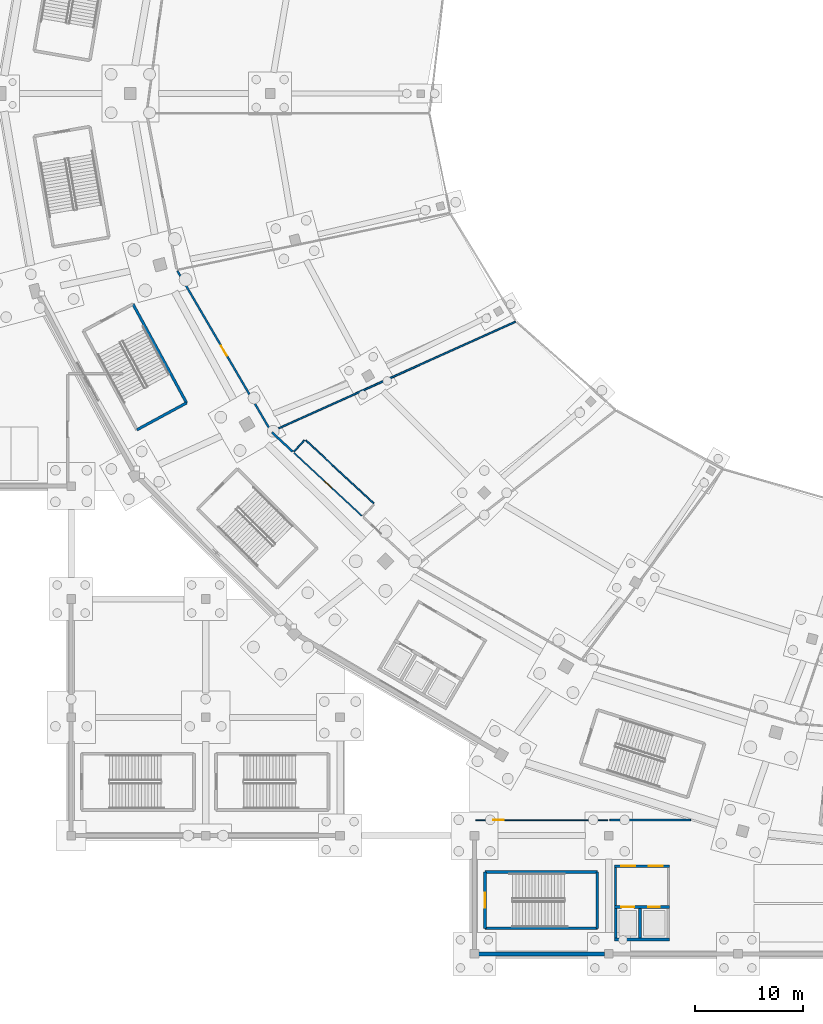
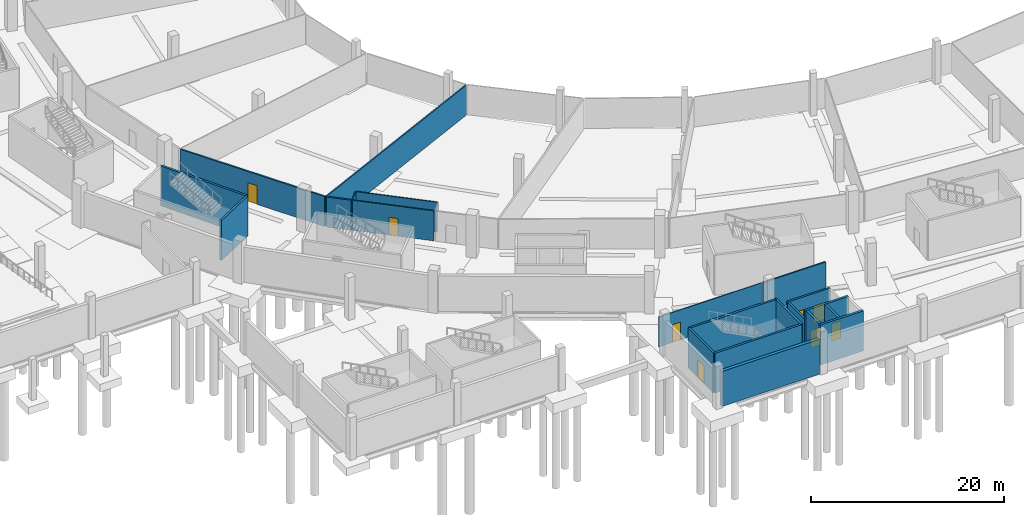
# One storey, part 33 of 74: 21 walls, 8 doors, 8 openings.
"""IFC4 building model written with IfcOpenShell, lengths in metres."""

from ifc_helpers import new_model, si_unit, direction, frame, frame_2d, origin, place, context, subcontext, project, spatial, rectangle, extrude, material, layer, layer_set, type_object, element, fill, save


model = new_model("IFC4")

# Units and contexts
model_context = context("Model", 3, precision=1e-05, world=origin(), true_north=direction((0.0, 1.0)))
body_context = subcontext(model_context, "Body", "Model", "MODEL_VIEW")
ifc_project = project(units=[si_unit("LENGTHUNIT", "METRE"), si_unit("AREAUNIT", "SQUARE_METRE"), si_unit("VOLUMEUNIT", "CUBIC_METRE"), si_unit("PLANEANGLEUNIT", "RADIAN"), si_unit("MASSUNIT", "GRAM", prefix="KILO")], contexts=[model_context])

# Site, building, storey
site_placement = place(None, origin())
site = spatial("IfcSite", under=ifc_project, at=site_placement, CompositionType="ELEMENT")
building_placement = place(site_placement, origin())
building = spatial("IfcBuilding", under=site, at=building_placement, Name="Zlatoyarsky Gate Stadium", CompositionType="ELEMENT")
storey_placement = place(building_placement, frame((0.0, 0.0, -5.39990234375)))
storey = spatial("IfcBuildingStorey", under=building, at=storey_placement, Name="B1", CompositionType="ELEMENT", Elevation=-5.39990234375)

# Walls
ifc_material_1 = material(Name="Double-stud acoustic gypsum partition", Category="gypsum")
ifc_layer_1 = layer(ifc_material_1, 0.169921875)
ifc_layer_set_1 = layer_set([ifc_layer_1], Name="Double-stud acoustic gypsum partition")
wall_type_1 = type_object("IfcWallType", Name="ACOUSTIC BROADCAST STUDIO WALL 170", PredefinedType="PARTITIONING", material=ifc_layer_set_1)
wall_1_placement = place(storey_placement, frame((74.5849609375, 12.449951171875, 0.0), z_axis=(0.0, 0.0, 1.0), x_axis=(1.0, 0.0, 0.0)))
element("IfcWall", 1, at=wall_1_placement, inside=storey, type_object=wall_type_1, Name="B1 interior partition PRT-B1-V3SC-NW1B", PredefinedType="PARTITIONING", context=body_context, shape_type="SweptSolid", body=[
    extrude(rectangle(XDim=7.517333984375, YDim=0.169921875, at=frame_2d((3.7587890625, 0.0))), origin(), (0.0, 0.0, 1.0), 3.7998046875),
])
ifc_material_2 = material(Name="Gypsum-clad mineral wool fire partition", Category="gypsum")
ifc_layer_2 = layer(ifc_material_2, 0.199951171875)
ifc_layer_set_2 = layer_set([ifc_layer_2], Name="Gypsum-clad mineral wool fire partition")
wall_type_2 = type_object("IfcWallType", Name="COMPARTMENT FIRE PARTITION WALL 200", PredefinedType="PARTITIONING", material=ifc_layer_set_2)
wall_2_placement = place(storey_placement, frame((43.162841796875, 48.497314453125, 0.0), z_axis=(0.0, 0.0, 1.0), x_axis=(0.732978614057, -0.680251682347, 0.0)))
element("IfcWall", 2, at=wall_2_placement, inside=storey, type_object=wall_type_2, Name="B1 interior partition PRT-B1-WCL-14", PredefinedType="PARTITIONING", context=body_context, shape_type="SweptSolid", body=[
    extrude(rectangle(XDim=2.6298828125, YDim=0.199951171875, at=frame_2d((1.31494140625, 0.0))), origin(), (0.0, 0.0, 1.0), 3.7998046875),
])
ifc_material_3 = material(Name="Metal-stud gypsum partition", Category="gypsum")
ifc_layer_3 = layer(ifc_material_3, 0.14990234375)
ifc_layer_set_3 = layer_set([ifc_layer_3], Name="Metal-stud gypsum partition")
wall_type_3 = type_object("IfcWallType", Name="CONCOURSE CORRIDOR PARTITION 150", PredefinedType="PARTITIONING", material=ifc_layer_set_3)
wall_3_placement = place(storey_placement, frame((65.8076171875, 58.77880859375, 0.0), z_axis=(0.0, 0.0, 1.0), x_axis=(-0.911840313279, -0.41054505609, 0.0)))
element("IfcWall", 3, at=wall_3_placement, inside=storey, type_object=wall_type_3, Name="B1 interior partition PRT-B1-IRD-14", PredefinedType="PARTITIONING", context=body_context, shape_type="SweptSolid", body=[
    extrude(rectangle(XDim=24.817626953125, YDim=0.14990234375, at=frame_2d((12.40869140625, 0.0))), origin(), (0.0, 0.0, 1.0), 3.7998046875),
])
ifc_material_4 = material(Name="Concrete C40/50", Category="concrete")
ifc_layer_4 = layer(ifc_material_4, 0.27001953125)
ifc_layer_set_4 = layer_set([ifc_layer_4], Name="Concrete C40/50")
wall_type_4 = type_object("IfcWallType", Name="CONCRETE LIFT SHAFT SHEAR WALL 270", PredefinedType="SHEAR", material=ifc_layer_set_4)
wall_4_placement = place(storey_placement, frame((75.0, 1.3349609375, 0.0), z_axis=(0.0, 0.0, 1.0), x_axis=(1.0, 0.0, 0.0)))
element("IfcWall", 4, at=wall_4_placement, inside=storey, type_object=wall_type_4, Name="C6 B1 lift shaft rear wall", PredefinedType="SHEAR", context=body_context, shape_type="SweptSolid", body=[
    extrude(rectangle(XDim=5.14990234375, YDim=0.27001953125, at=frame_2d((2.574951171875, 0.0))), origin(), (0.0, 0.0, 1.0), 5.0498046875),
])
for number, where, z_axis, x_axis, name in (
    (5, (75.135009765625, 1.47998046875, 0.0), (0.0, 0.0, 1.0), (0.0, 1.0, 0.0), "C6 B1 lift shaft left wall"),
    (6, (77.375, 1.47998046875, 0.0), (0.0, 0.0, 1.0), (0.0, 1.0, 0.0), "C6 B1 lift shaft divider 1"),
):
    element("IfcWall", number, at=place(storey_placement, frame(where, z_axis=z_axis, x_axis=x_axis)), inside=storey, type_object=wall_type_4, Name=name, PredefinedType="SHEAR", context=body_context, shape_type="SweptSolid", body=[
        extrude(rectangle(XDim=2.739990234375, YDim=0.27001953125, at=frame_2d((1.3701171875, 0.0))), origin(), (0.0, 0.0, 1.0), 5.0498046875),
    ])

# Wall, openings, doors
wall_5_placement = place(storey_placement, frame((75.0, 4.364990234375, 0.0), z_axis=(0.0, 0.0, 1.0), x_axis=(1.0, 0.0, 0.0)))
wall_5 = element("IfcWall", 7, at=wall_5_placement, inside=storey, type_object=wall_type_4, Name="C6 B1 lift landing front wall", PredefinedType="SHEAR", context=body_context, shape_type="SweptSolid", body=[
    extrude(rectangle(XDim=5.14990234375, YDim=0.27001953125, at=frame_2d((2.574951171875, 0.0))), origin(), (0.0, 0.0, 1.0), 5.0498046875),
])
opening_1_placement = place(wall_5_placement, frame((0.64990234375, 0.0, 0.0)))
opening_1 = element("IfcOpeningElement", 8, at=opening_1_placement, cuts=wall_5, Name="Opening LD-FL-06-B1", PredefinedType="OPENING", context=body_context, shape_type="SweptSolid", body=[
    extrude(rectangle(XDim=1.199951171875, YDim=2.25, at=frame_2d((0.60009765625, 1.125))), frame((0.0, 0.14501953125, 0.0), z_axis=(0.0, -1.0, 0.0), x_axis=(1.0, 0.0, 0.0)), (0.0, 0.0, 1.0), 0.2900390625),
])
opening_2_placement = place(wall_5_placement, frame((3.14990234375, 0.0, 0.0)))
opening_2 = element("IfcOpeningElement", 9, at=opening_2_placement, cuts=wall_5, Name="Opening LD-LF-10-B1", PredefinedType="OPENING", context=body_context, shape_type="SweptSolid", body=[
    extrude(rectangle(XDim=1.10009765625, YDim=2.199951171875, at=frame_2d((0.550048828125, 1.10009765625))), frame((0.0, 0.14501953125, 0.0), z_axis=(0.0, -1.0, 0.0), x_axis=(1.0, 0.0, 0.0)), (0.0, 0.0, 1.0), 0.2900390625),
])
ifc_material_5 = material(Name="Powder-coated steel fire door", Category="steel")
door_type_1 = type_object("IfcDoorType", Name="STAINLESS LIFT LANDING SLIDING DOOR 1100X2200", OperationType="DOUBLE_DOOR_SLIDING", PredefinedType="DOOR", material=ifc_material_5)
door_1_placement = place(opening_2_placement, origin())
door_1 = element("IfcDoor", 10, at=door_1_placement, inside=storey, type_object=door_type_1, Name="Lift LF-10 B1 sliding landing door", OperationType="DOUBLE_DOOR_SLIDING", OverallHeight=2.199951171875, OverallWidth=1.10009765625, PredefinedType="DOOR", context=body_context, shape_type="SweptSolid", body=[
    extrude(rectangle(XDim=1.10009765625, YDim=2.199951171875, at=frame_2d((0.550048828125, 1.10009765625))), frame((0.0, 0.02490234375, 0.0), z_axis=(0.0, -1.0, 0.0), x_axis=(1.0, 0.0, 0.0)), (0.0, 0.0, 1.0), 0.050048828125),
])
fill(opening_2, door_1)
door_type_2 = type_object("IfcDoorType", Name="STAINLESS LIFT LANDING SLIDING DOOR 1200X2250", OperationType="DOUBLE_DOOR_SLIDING", PredefinedType="DOOR", material=ifc_material_5)
door_2_placement = place(opening_1_placement, origin())
door_2 = element("IfcDoor", 11, at=door_2_placement, inside=storey, type_object=door_type_2, Name="Lift FL-06 B1 sliding landing door", OperationType="DOUBLE_DOOR_SLIDING", OverallHeight=2.25, OverallWidth=1.199951171875, PredefinedType="DOOR", context=body_context, shape_type="SweptSolid", body=[
    extrude(rectangle(XDim=1.199951171875, YDim=2.25, at=frame_2d((0.60009765625, 1.125))), frame((0.0, 0.02490234375, 0.0), z_axis=(0.0, -1.0, 0.0), x_axis=(1.0, 0.0, 0.0)), (0.0, 0.0, 1.0), 0.050048828125),
])
fill(opening_1, door_2)

# Walls
ifc_material_6 = material(Name="Concrete C35/45", Category="concrete")
ifc_layer_5 = layer(ifc_material_6, 0.3798828125)
ifc_layer_set_5 = layer_set([ifc_layer_5], Name="Concrete C35/45")
wall_type_5 = type_object("IfcWallType", Name="CONCRETE RAMP RETAINING WALL 380", PredefinedType="SOLIDWALL", material=ifc_layer_set_5)
wall_6_placement = place(storey_placement, frame((62.39697265625, 0.0, 0.0), z_axis=(0.0, 0.0, 1.0), x_axis=(1.0, 0.0, 0.0)))
element("IfcWall", 12, at=wall_6_placement, inside=storey, type_object=wall_type_5, Name="V3_SOUTH B1 S exterior wall", PredefinedType="SOLIDWALL", context=body_context, shape_type="SweptSolid", body=[
    extrude(rectangle(XDim=11.7060546875, YDim=0.3798828125, at=frame_2d((5.85302734375, 0.0))), origin(), (0.0, 0.0, 1.0), 4.429931640625),
])
ifc_layer_6 = layer(ifc_material_4, 0.25)
ifc_layer_set_6 = layer_set([ifc_layer_6], Name="Concrete C40/50")
wall_type_6 = type_object("IfcWallType", Name="CONCRETE STAIR CORE SHEAR WALL 250", PredefinedType="SHEAR", material=ifc_layer_set_6)
wall_7_placement = place(storey_placement, frame((30.615234375, 48.731201171875, 0.0), z_axis=(0.0, 0.0, 1.0), x_axis=(0.878961487093, 0.47689275965, 0.0)))
element("IfcWall", 13, at=wall_7_placement, inside=storey, type_object=wall_type_6, Name="ST-15 B1 stair core far shear wall", PredefinedType="SHEAR", context=body_context, shape_type="SweptSolid", body=[
    extrude(rectangle(XDim=5.25, YDim=0.25, at=frame_2d((2.625, 0.0))), origin(), (0.0, 0.0, 1.0), 5.0498046875),
])
wall_8_placement = place(storey_placement, frame((35.229736328125, 51.23486328125, 0.0), z_axis=(0.0, 0.0, 1.0), x_axis=(-0.476876856974, 0.878970115125, 0.0)))
element("IfcWall", 14, at=wall_8_placement, inside=storey, type_object=wall_type_6, Name="ST-15 B1 stair core right shear wall", PredefinedType="SHEAR", context=body_context, shape_type="SweptSolid", body=[
    extrude(rectangle(XDim=10.4501953125, YDim=0.25, at=frame_2d((5.22509765625, 0.0))), origin(), (0.0, 0.0, 1.0), 5.0498046875),
])

# Wall, opening, door
wall_9_placement = place(storey_placement, frame((62.97509765625, 7.625, 0.0), z_axis=(0.0, 0.0, 1.0), x_axis=(0.0, -1.0, 0.0)))
wall_9 = element("IfcWall", 15, at=wall_9_placement, inside=storey, type_object=wall_type_6, Name="ST-29 B1 stair core entrance shear wall", PredefinedType="SHEAR", context=body_context, shape_type="SweptSolid", body=[
    extrude(rectangle(XDim=5.25, YDim=0.25, at=frame_2d((2.625, 0.0))), origin(), (0.0, 0.0, 1.0), 5.0498046875),
])
opening_3_placement = place(wall_9_placement, frame((1.925048828125, 0.0, 0.0)))
opening_3 = element("IfcOpeningElement", 16, at=opening_3_placement, cuts=wall_9, Name="Opening SD-ST-29-B1", PredefinedType="OPENING", context=body_context, shape_type="SweptSolid", body=[
    extrude(rectangle(XDim=1.39990234375, YDim=2.199951171875, at=frame_2d((0.699951171875, 1.10009765625))), frame((0.0, 0.135009765625, 0.0), z_axis=(0.0, -1.0, 0.0), x_axis=(1.0, 0.0, 0.0)), (0.0, 0.0, 1.0), 0.27001953125),
])
door_type_3 = type_object("IfcDoorType", Name="STAIR CORE FIRE EXIT DOOR 1400X2200", OperationType="NOTDEFINED", PredefinedType="DOOR", material=ifc_material_5)
door_3_placement = place(opening_3_placement, frame((1.39990234375, 0.0, 0.0), z_axis=(0.0, 0.0, 1.0), x_axis=(-1.0, 0.0, 0.0)))
door_3 = element("IfcDoor", 17, at=door_3_placement, inside=storey, type_object=door_type_3, Name="ST-29 B1 stair fire door", OperationType="SINGLE_SWING_LEFT", OverallHeight=2.199951171875, OverallWidth=1.39990234375, PredefinedType="DOOR", context=body_context, shape_type="SweptSolid", body=[
    extrude(rectangle(XDim=1.39990234375, YDim=2.199951171875, at=frame_2d((0.699951171875, 1.10009765625))), frame((0.0, 0.02490234375, 0.0), z_axis=(0.0, -1.0, 0.0), x_axis=(1.0, 0.0, 0.0)), (0.0, 0.0, 1.0), 0.050048828125),
])
fill(opening_3, door_3)

# Walls
wall_10_placement = place(storey_placement, frame((62.97509765625, 2.375, 0.0), z_axis=(0.0, 0.0, 1.0), x_axis=(1.0, 0.0, 0.0)))
element("IfcWall", 18, at=wall_10_placement, inside=storey, type_object=wall_type_6, Name="ST-29 B1 stair core left shear wall", PredefinedType="SHEAR", context=body_context, shape_type="SweptSolid", body=[
    extrude(rectangle(XDim=10.449951171875, YDim=0.25, at=frame_2d((5.22509765625, 0.0))), origin(), (0.0, 0.0, 1.0), 5.0498046875),
])
wall_11_placement = place(storey_placement, frame((73.425048828125, 2.375, 0.0), z_axis=(0.0, 0.0, 1.0), x_axis=(0.0, 1.0, 0.0)))
element("IfcWall", 19, at=wall_11_placement, inside=storey, type_object=wall_type_6, Name="ST-29 B1 stair core far shear wall", PredefinedType="SHEAR", context=body_context, shape_type="SweptSolid", body=[
    extrude(rectangle(XDim=5.25, YDim=0.25, at=frame_2d((2.625, 0.0))), origin(), (0.0, 0.0, 1.0), 5.0498046875),
])
wall_12_placement = place(storey_placement, frame((73.425048828125, 7.625, 0.0), z_axis=(0.0, 0.0, 1.0), x_axis=(-1.0, 0.0, 0.0)))
element("IfcWall", 20, at=wall_12_placement, inside=storey, type_object=wall_type_6, Name="ST-29 B1 stair core right shear wall", PredefinedType="SHEAR", context=body_context, shape_type="SweptSolid", body=[
    extrude(rectangle(XDim=10.449951171875, YDim=0.25, at=frame_2d((5.22509765625, 0.0))), origin(), (0.0, 0.0, 1.0), 5.0498046875),
])
ifc_material_7 = material(Name="Autoclaved aerated concrete masonry EI 120", Category="masonry")
ifc_layer_7 = layer(ifc_material_7, 0.219970703125)
ifc_layer_set_7 = layer_set([ifc_layer_7], Name="Autoclaved aerated concrete masonry EI 120")
wall_type_7 = type_object("IfcWallType", Name="FIREFIGHTING LOBBY RATED WALL 220", PredefinedType="PARTITIONING", material=ifc_layer_set_7)
wall_13_placement = place(storey_placement, frame((75.110107421875, 4.52001953125, 0.0), z_axis=(0.0, 0.0, 1.0), x_axis=(0.0, 1.0, 0.0)))
element("IfcWall", 21, at=wall_13_placement, inside=storey, type_object=wall_type_7, Name="C6 B1 firefighting lobby left wall", PredefinedType="PARTITIONING", context=body_context, shape_type="SweptSolid", body=[
    extrude(rectangle(XDim=3.530029296875, YDim=0.219970703125, at=frame_2d((1.76513671875, 0.0))), origin(), (0.0, 0.0, 1.0), 3.7998046875),
])

# Wall, openings, doors
wall_14_placement = place(storey_placement, frame((75.0, 8.159912109375, 0.0), z_axis=(0.0, 0.0, 1.0), x_axis=(1.0, 0.0, 0.0)))
wall_14 = element("IfcWall", 22, at=wall_14_placement, inside=storey, type_object=wall_type_7, Name="C6 B1 firefighting lobby front wall", PredefinedType="PARTITIONING", context=body_context, shape_type="SweptSolid", body=[
    extrude(rectangle(XDim=5.14990234375, YDim=0.219970703125, at=frame_2d((2.574951171875, 0.0))), origin(), (0.0, 0.0, 1.0), 3.7998046875),
])
opening_4_placement = place(wall_14_placement, frame((0.64990234375, 0.0, 0.0)))
opening_4 = element("IfcOpeningElement", 23, at=opening_4_placement, cuts=wall_14, Name="Opening FD-C6-B1-A", PredefinedType="OPENING", context=body_context, shape_type="SweptSolid", body=[
    extrude(rectangle(XDim=1.300048828125, YDim=2.199951171875, at=frame_2d((0.64990234375, 1.10009765625))), frame((0.0, 0.119873046875, 0.0), z_axis=(0.0, -1.0, 0.0), x_axis=(1.0, 0.0, 0.0)), (0.0, 0.0, 1.0), 0.239990234375),
])
opening_5_placement = place(wall_14_placement, frame((3.199951171875, 0.0, 0.0)))
opening_5 = element("IfcOpeningElement", 24, at=opening_5_placement, cuts=wall_14, Name="Opening FD-C6-B1-B", PredefinedType="OPENING", context=body_context, shape_type="SweptSolid", body=[
    extrude(rectangle(XDim=1.300048828125, YDim=2.199951171875, at=frame_2d((0.64990234375, 1.10009765625))), frame((0.0, 0.119873046875, 0.0), z_axis=(0.0, -1.0, 0.0), x_axis=(1.0, 0.0, 0.0)), (0.0, 0.0, 1.0), 0.239990234375),
])
door_type_4 = type_object("IfcDoorType", Name="FIREFIGHTING LOBBY FIRE DOOR 1300X2200", OperationType="NOTDEFINED", PredefinedType="DOOR", material=ifc_material_5)
door_4_placement = place(opening_4_placement, origin())
door_4 = element("IfcDoor", 25, at=door_4_placement, inside=storey, type_object=door_type_4, Name="C6 B1 firefighting lobby fire door FD-C6-B1-A", OperationType="SINGLE_SWING_LEFT", OverallHeight=2.199951171875, OverallWidth=1.300048828125, PredefinedType="DOOR", context=body_context, shape_type="SweptSolid", body=[
    extrude(rectangle(XDim=1.300048828125, YDim=2.199951171875, at=frame_2d((0.64990234375, 1.10009765625))), frame((0.0, 0.02490234375, 0.0), z_axis=(0.0, -1.0, 0.0), x_axis=(1.0, 0.0, 0.0)), (0.0, 0.0, 1.0), 0.050048828125),
])
fill(opening_4, door_4)
door_5_placement = place(opening_5_placement, origin())
door_5 = element("IfcDoor", 26, at=door_5_placement, inside=storey, type_object=door_type_4, Name="C6 B1 firefighting lobby fire door FD-C6-B1-B", OperationType="SINGLE_SWING_RIGHT", OverallHeight=2.199951171875, OverallWidth=1.300048828125, PredefinedType="DOOR", context=body_context, shape_type="SweptSolid", body=[
    extrude(rectangle(XDim=1.300048828125, YDim=2.199951171875, at=frame_2d((0.64990234375, 1.10009765625))), frame((0.0, 0.02490234375, 0.0), z_axis=(0.0, -1.0, 0.0), x_axis=(1.0, 0.0, 0.0)), (0.0, 0.0, 1.0), 0.050048828125),
])
fill(opening_5, door_5)

# Wall, opening, door
ifc_material_8 = material(Name="Timber-veneered acoustic operable partition", Category="wood")
ifc_layer_8 = layer(ifc_material_8, 0.094970703125)
ifc_layer_set_8 = layer_set([ifc_layer_8], Name="Timber-veneered acoustic operable partition")
wall_type_8 = type_object("IfcWallType", Name="FOLDING BANQUET SALON WALL 95", PredefinedType="MOVABLE", material=ifc_layer_set_8)
wall_15_placement = place(storey_placement, frame((62.10498046875, 12.449951171875, 0.0), z_axis=(0.0, 0.0, 1.0), x_axis=(1.0, 0.0, 0.0)))
wall_15 = element("IfcWall", 27, at=wall_15_placement, inside=storey, type_object=wall_type_8, Name="B1 interior partition PRT-B1-V3SC-NW1A", PredefinedType="MOVABLE", context=body_context, shape_type="SweptSolid", body=[
    extrude(rectangle(XDim=12.31005859375, YDim=0.094970703125, at=frame_2d((6.155029296875, 0.0))), origin(), (0.0, 0.0, 1.0), 3.7998046875),
])
opening_6_placement = place(wall_15_placement, frame((1.64990234375, 0.0, 0.0)))
opening_6 = element("IfcOpeningElement", 28, at=opening_6_placement, cuts=wall_15, Name="Opening D-B1-099", PredefinedType="OPENING", context=body_context, shape_type="SweptSolid", body=[
    extrude(rectangle(XDim=0.9599609375, YDim=2.239990234375, at=frame_2d((0.47998046875, 1.1201171875))), frame((0.0, 0.057373046875, 0.0), z_axis=(0.0, -1.0, 0.0), x_axis=(1.0, 0.0, 0.0)), (0.0, 0.0, 1.0), 0.114990234375),
])
ifc_material_9 = material(Name="Solid-core oak veneer acoustic door", Category="wood")
door_type_5 = type_object("IfcDoorType", Name="ACOUSTIC INTERIOR DOOR 960X2240", OperationType="NOTDEFINED", PredefinedType="DOOR", material=ifc_material_9)
door_6_placement = place(opening_6_placement, origin())
door_6 = element("IfcDoor", 29, at=door_6_placement, inside=storey, type_object=door_type_5, Name="B1 room door D-B1-099", OperationType="SINGLE_SWING_LEFT", OverallHeight=2.239990234375, OverallWidth=0.9599609375, PredefinedType="DOOR", context=body_context, shape_type="SweptSolid", body=[
    extrude(rectangle(XDim=0.9599609375, YDim=2.239990234375, at=frame_2d((0.47998046875, 1.1201171875))), frame((0.0, 0.02490234375, 0.0), z_axis=(0.0, -1.0, 0.0), x_axis=(1.0, 0.0, 0.0)), (0.0, 0.0, 1.0), 0.050048828125),
])
fill(opening_6, door_6)

ifc_layer_9 = layer(ifc_material_2, 0.179931640625)
ifc_layer_set_9 = layer_set([ifc_layer_9], Name="Gypsum-clad mineral wool fire partition")
wall_type_9 = type_object("IfcWallType", Name="PLANT AND KITCHEN RATED WALL 180", PredefinedType="PARTITIONING", material=ifc_layer_set_9)
wall_16_placement = place(storey_placement, frame((34.369384765625, 63.522216796875, 0.0), z_axis=(0.0, 0.0, 1.0), x_axis=(0.50388511134, -0.863770684019, 0.0)))
wall_16 = element("IfcWall", 30, at=wall_16_placement, inside=storey, type_object=wall_type_9, Name="B1 interior partition PRT-B1-ICC-13", PredefinedType="PARTITIONING", context=body_context, shape_type="SweptSolid", body=[
    extrude(rectangle(XDim=17.242431640625, YDim=0.179931640625, at=frame_2d((8.62109375, 0.0))), origin(), (0.0, 0.0, 1.0), 3.7998046875),
])
opening_7_placement = place(wall_16_placement, frame((8.081298828125, 0.0, 0.0)))
opening_7 = element("IfcOpeningElement", 31, at=opening_7_placement, cuts=wall_16, Name="Opening D-B1-051", PredefinedType="OPENING", context=body_context, shape_type="SweptSolid", body=[
    extrude(rectangle(XDim=1.080078125, YDim=2.3798828125, at=frame_2d((0.5400390625, 1.18994140625))), frame((0.0, 0.099853515625, 0.0), z_axis=(0.0, -1.0, 0.0), x_axis=(1.0, 0.0, 0.0)), (0.0, 0.0, 1.0), 0.199951171875),
])
door_type_6 = type_object("IfcDoorType", Name="ACOUSTIC INTERIOR DOOR 1080X2380", OperationType="NOTDEFINED", PredefinedType="DOOR", material=ifc_material_5)
door_7_placement = place(opening_7_placement, origin())
door_7 = element("IfcDoor", 32, at=door_7_placement, inside=storey, type_object=door_type_6, Name="B1 room door D-B1-051", OperationType="SINGLE_SWING_RIGHT", OverallHeight=2.3798828125, OverallWidth=1.080078125, PredefinedType="DOOR", context=body_context, shape_type="SweptSolid", body=[
    extrude(rectangle(XDim=1.080078125, YDim=2.3798828125, at=frame_2d((0.5400390625, 1.18994140625))), frame((0.0, 0.02490234375, 0.0), z_axis=(0.0, -1.0, 0.0), x_axis=(1.0, 0.0, 0.0)), (0.0, 0.0, 1.0), 0.050048828125),
])
fill(opening_7, door_7)

ifc_material_10 = material(Name="Moisture-resistant tile-backed partition", Category="gypsum")
ifc_layer_10 = layer(ifc_material_10, 0.1298828125)
ifc_layer_set_10 = layer_set([ifc_layer_10], Name="Moisture-resistant tile-backed partition")
wall_type_10 = type_object("IfcWallType", Name="SANITARY WET ROOM PARTITION 130", PredefinedType="PARTITIONING", material=ifc_layer_set_10)
wall_17_placement = place(storey_placement, frame((45.215087890625, 46.5927734375, 0.0), z_axis=(0.0, 0.0, 1.0), x_axis=(0.73300806751, -0.680219944551, 0.0)))
wall_17 = element("IfcWall", 33, at=wall_17_placement, inside=storey, type_object=wall_type_10, Name="B1 interior partition PRT-B1-WC14-F", PredefinedType="PARTITIONING", context=body_context, shape_type="SweptSolid", body=[
    extrude(rectangle(XDim=8.630126953125, YDim=0.1298828125, at=frame_2d((4.31494140625, 0.0))), origin(), (0.0, 0.0, 1.0), 3.7998046875),
])
opening_8_placement = place(wall_17_placement, frame((3.8349609375, 0.0, 0.0)))
opening_8 = element("IfcOpeningElement", 34, at=opening_8_placement, cuts=wall_17, Name="Opening D-B1-054", PredefinedType="OPENING", context=body_context, shape_type="SweptSolid", body=[
    extrude(rectangle(XDim=0.9599609375, YDim=2.239990234375, at=frame_2d((0.47998046875, 1.1201171875))), frame((0.0, 0.074951171875, 0.0), z_axis=(0.0, -1.0, 0.0), x_axis=(1.0, 0.0, 0.0)), (0.0, 0.0, 1.0), 0.14990234375),
])
door_8_placement = place(opening_8_placement, origin())
door_8 = element("IfcDoor", 35, at=door_8_placement, inside=storey, type_object=door_type_5, Name="B1 room door D-B1-054", OperationType="SINGLE_SWING_LEFT", OverallHeight=2.239990234375, OverallWidth=0.9599609375, PredefinedType="DOOR", context=body_context, shape_type="SweptSolid", body=[
    extrude(rectangle(XDim=0.9599609375, YDim=2.239990234375, at=frame_2d((0.47998046875, 1.1201171875))), frame((0.0, 0.02490234375, 0.0), z_axis=(0.0, -1.0, 0.0), x_axis=(1.0, 0.0, 0.0)), (0.0, 0.0, 1.0), 0.050048828125),
])
fill(opening_8, door_8)

# Walls
wall_18_placement = place(storey_placement, frame((46.3037109375, 47.765380859375, 0.0), z_axis=(0.0, 0.0, 1.0), x_axis=(0.732994977595, -0.68023405003, 0.0)))
element("IfcWall", 36, at=wall_18_placement, inside=storey, type_object=wall_type_10, Name="B1 interior partition PRT-B1-WC14-B", PredefinedType="PARTITIONING", context=body_context, shape_type="SweptSolid", body=[
    extrude(rectangle(XDim=8.6298828125, YDim=0.1298828125, at=frame_2d((4.31494140625, 0.0))), origin(), (0.0, 0.0, 1.0), 3.7998046875),
])
wall_19_placement = place(storey_placement, frame((45.210693359375, 46.712890625, 0.0), z_axis=(0.0, 0.0, 1.0), x_axis=(0.68032667307, 0.732909010662, 0.0)))
element("IfcWall", 37, at=wall_19_placement, inside=storey, type_object=wall_type_10, Name="B1 interior partition PRT-B1-WC14-L", PredefinedType="PARTITIONING", context=body_context, shape_type="SweptSolid", body=[
    extrude(rectangle(XDim=1.429931640625, YDim=0.1298828125, at=frame_2d((0.71484375, 0.0))), origin(), (0.0, 0.0, 1.0), 3.7998046875),
])

save(model, "model.ifc")
